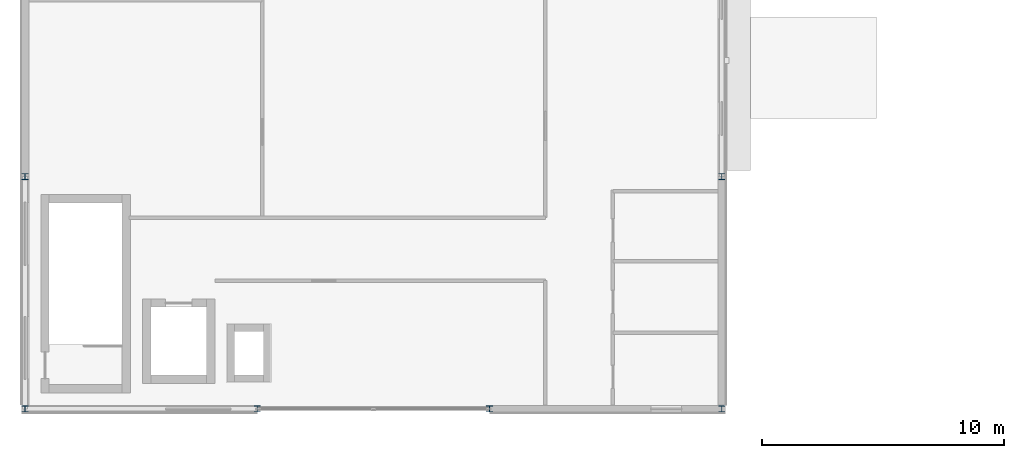
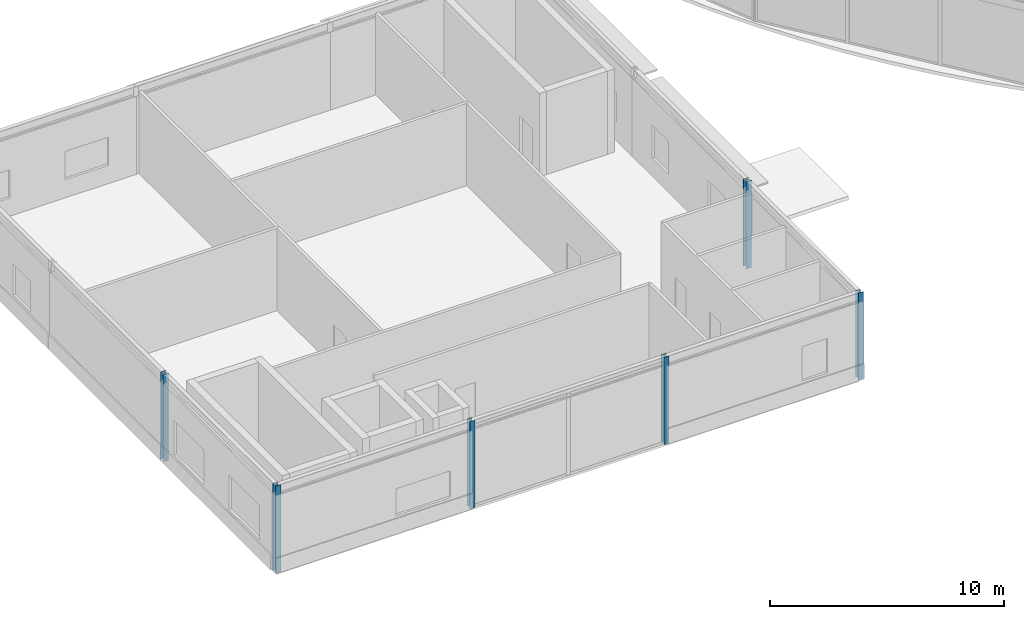
# One storey, part 1 of 133: 6 columns.
"""IFC4 building model written with IfcOpenShell, lengths in metres."""

from ifc_helpers import new_model, si_unit, direction, frame, origin, origin_2d, place, context, subcontext, project, spatial, i_section, extrude, material, material_profile, profile_set, type_object, element, save


model = new_model("IFC4")

# Units and contexts
model_context = context("Model", 3, precision=1e-05, world=origin(), true_north=direction((0.0, 1.0)))
body_context = subcontext(model_context, "Body", "Model", "MODEL_VIEW")
ifc_project = project(units=[si_unit("LENGTHUNIT", "METRE"), si_unit("AREAUNIT", "SQUARE_METRE"), si_unit("VOLUMEUNIT", "CUBIC_METRE"), si_unit("PLANEANGLEUNIT", "RADIAN"), si_unit("MASSUNIT", "GRAM", prefix="KILO")], contexts=[model_context])

# Site, building, storey
site_placement = place(None, origin())
site = spatial("IfcSite", under=ifc_project, at=site_placement, CompositionType="ELEMENT")
building_placement = place(site_placement, origin())
building = spatial("IfcBuilding", under=site, at=building_placement, Name="Almandine Court Research Institute", CompositionType="ELEMENT")
storey_placement = place(building_placement, frame((0.0, 0.0, 9.800048828125)))
storey = spatial("IfcBuildingStorey", under=building, at=storey_placement, Name="L02", CompositionType="ELEMENT", Elevation=9.800048828125)

# Columns
ifc_material = material(Name="Steel ASTM A992 Grade 50", Category="steel")
ifc_material_profile = material_profile(ifc_material, i_section(OverallWidth=0.25390625, OverallDepth=0.2529296875, WebThickness=0.009033203125, FlangeThickness=0.013916015625, at=origin_2d()), Name="W250x73")
ifc_profile_set = profile_set([ifc_material_profile], Name="Steel ASTM A992 Grade 50")
column_type = type_object("IfcColumnType", Name="Col-C-W10-E", PredefinedType="COLUMN", material=ifc_profile_set)
for number, where, z_axis, x_axis, name in (
    (1, (6.0, 6.0, 0.0), (0.0, 0.0, 1.0), (1.0, 0.0, 0.0), "L02 V1 Column V1-X1Y1"),
    (2, (6.0, 15.60009765625, 0.0), (0.0, 0.0, 1.0), (1.0, 0.0, 0.0), "L02 V1 Column V1-X1Y2"),
    (3, (15.60009765625, 6.0, 0.0), (0.0, 0.0, 1.0), (1.0, 0.0, 0.0), "L02 V1 Column V1-X2Y1"),
    (4, (25.199951171875, 6.0, 0.0), (0.0, 0.0, 1.0), (1.0, 0.0, 0.0), "L02 V1 Column V1-X3Y1"),
    (5, (34.800048828125, 6.0, 0.0), (0.0, 0.0, 1.0), (1.0, 0.0, 0.0), "L02 V1 Column V1-X4Y1"),
    (6, (34.800048828125, 15.60009765625, 0.0), (0.0, 0.0, 1.0), (1.0, 0.0, 0.0), "L02 V1 Column V1-X4Y2"),
):
    element("IfcColumn", number, at=place(storey_placement, frame(where, z_axis=z_axis, x_axis=x_axis)), inside=storey, type_object=column_type, Name=name, PredefinedType="COLUMN", context=body_context, shape_type="SweptSolid", body=[
        extrude(i_section(OverallWidth=0.25390625, OverallDepth=0.2529296875, WebThickness=0.009033203125, FlangeThickness=0.013916015625, at=origin_2d()), origin(), (0.0, 0.0, 1.0), 4.550048828125),
    ])

save(model, "model.ifc")
